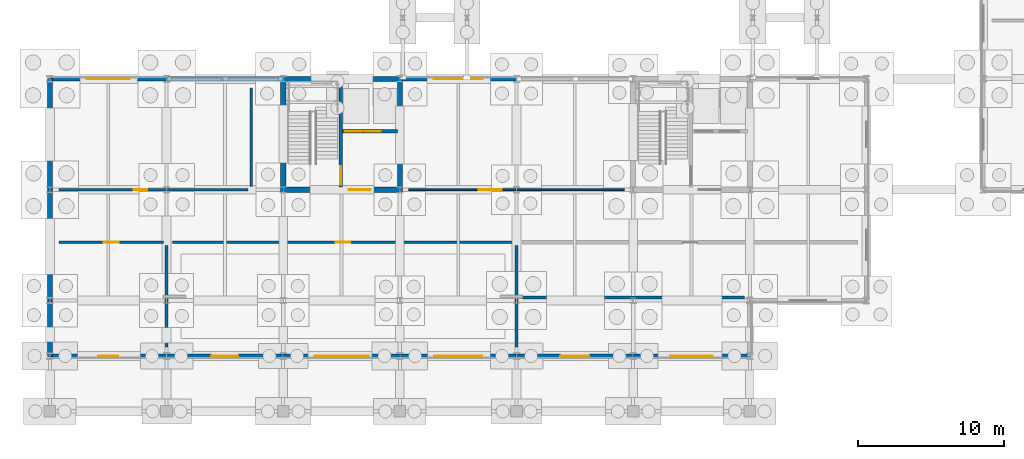
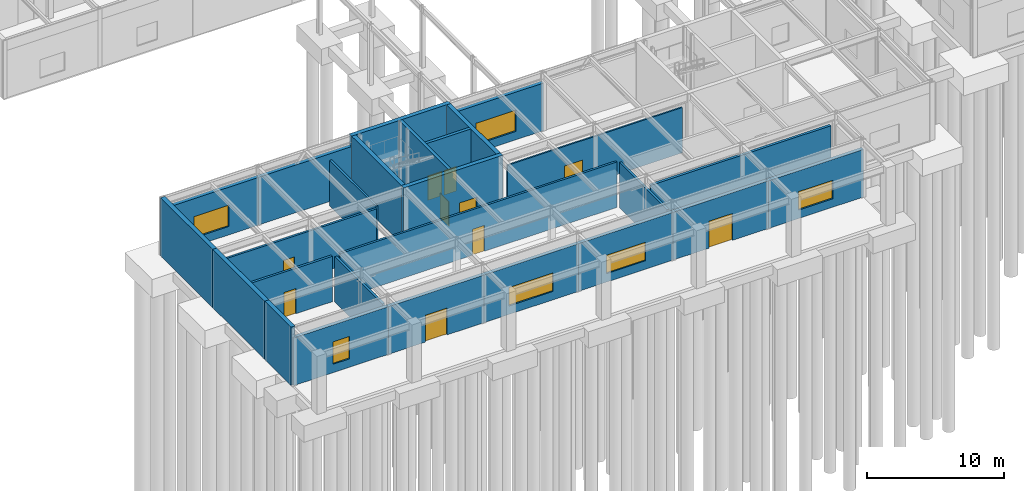
# One storey, part 40 of 62: 26 walls, 10 doors, 6 windows, 16 openings.
"""IFC4 building model written with IfcOpenShell, lengths in metres."""

from ifc_helpers import new_model, si_unit, direction, frame, frame_2d, origin, place, context, subcontext, project, spatial, rectangle, extrude, material, layer, layer_set, type_object, element, fill, save


model = new_model("IFC4")

# Units and contexts
model_context = context("Model", 3, precision=1e-05, world=origin(), true_north=direction((0.0, 1.0)))
body_context = subcontext(model_context, "Body", "Model", "MODEL_VIEW")
ifc_project = project(units=[si_unit("LENGTHUNIT", "METRE"), si_unit("AREAUNIT", "SQUARE_METRE"), si_unit("VOLUMEUNIT", "CUBIC_METRE"), si_unit("PLANEANGLEUNIT", "RADIAN"), si_unit("MASSUNIT", "GRAM", prefix="KILO")], contexts=[model_context])

# Site, building, storey
site_placement = place(None, origin())
site = spatial("IfcSite", under=ifc_project, at=site_placement, CompositionType="ELEMENT")
building_placement = place(site_placement, origin())
building = spatial("IfcBuilding", under=site, at=building_placement, Name="Zulena Civic Courthouse", CompositionType="ELEMENT")
storey_placement = place(building_placement, origin())
storey = spatial("IfcBuildingStorey", under=building, at=storey_placement, Name="L00", CompositionType="ELEMENT", Elevation=0.0)

# Wall, opening, door
ifc_material_1 = material(Name="Concrete C40/50", Category="concrete")
ifc_layer_1 = layer(ifc_material_1, 0.25)
ifc_layer_set_1 = layer_set([ifc_layer_1], Name="Concrete C40/50")
wall_type_1 = type_object("IfcWallType", Name="CoreShearWall_RC250", PredefinedType="SHEAR", material=ifc_layer_set_1)
wall_1_placement = place(storey_placement, frame((23.949951171875, 15.375, 0.0), z_axis=(0.0, 0.0, 1.0), x_axis=(0.0, 1.0, 0.0)))
wall_1 = element("IfcWall", 1, at=wall_1_placement, inside=storey, type_object=wall_type_1, Name="cwall:K2A:L00:DIV", PredefinedType="SHEAR", context=body_context, shape_type="SweptSolid", body=[
    extrude(rectangle(XDim=7.25, YDim=0.25, at=frame_2d((3.625, 0.0))), origin(), (0.0, 0.0, 1.0), 5.18994140625),
])
opening_1_placement = place(wall_1_placement, frame((0.179931640625, 0.0, 0.0)))
opening_1 = element("IfcOpeningElement", 2, at=opening_1_placement, cuts=wall_1, Name="Opening ID06", PredefinedType="OPENING", context=body_context, shape_type="SweptSolid", body=[
    extrude(rectangle(XDim=1.25, YDim=2.199951171875, at=frame_2d((0.625, 1.10009765625))), frame((0.0, 0.135009765625, 0.0), z_axis=(0.0, -1.0, 0.0), x_axis=(1.0, 0.0, 0.0)), (0.0, 0.0, 1.0), 0.27001953125),
])
ifc_material_2 = material(Name="Fire-rated galvanised steel ASTM A653 Grade 50", Category="steel")
door_type_1 = type_object("IfcDoorType", Name="IntDoor_Stair_1250x2200", OperationType="NOTDEFINED", PredefinedType="DOOR", material=ifc_material_2)
door_1_placement = place(opening_1_placement, origin())
door_1 = element("IfcDoor", 3, at=door_1_placement, inside=storey, type_object=door_type_1, Name="door:stair:K2A:L00", OperationType="SINGLE_SWING_LEFT", OverallHeight=2.199951171875, OverallWidth=1.25, PredefinedType="DOOR", context=body_context, shape_type="SweptSolid", body=[
    extrude(rectangle(XDim=1.25, YDim=2.199951171875, at=frame_2d((0.625, 1.10009765625))), frame((0.0, 0.02490234375, 0.0), z_axis=(0.0, -1.0, 0.0), x_axis=(1.0, 0.0, 0.0)), (0.0, 0.0, 1.0), 0.050048828125),
])
fill(opening_1, door_1)

# Wall, openings, doors
wall_2_placement = place(storey_placement, frame((24.074951171875, 19.199951171875, 0.0), z_axis=(0.0, 0.0, 1.0), x_axis=(1.0, 0.0, 0.0)))
wall_2 = element("IfcWall", 4, at=wall_2_placement, inside=storey, type_object=wall_type_1, Name="cwall:K2A:L00:SHF", PredefinedType="SHEAR", context=body_context, shape_type="SweptSolid", body=[
    extrude(rectangle(XDim=3.75, YDim=0.25, at=frame_2d((1.875, 0.0))), origin(), (0.0, 0.0, 1.0), 5.18994140625),
])
opening_2_placement = place(wall_2_placement, frame((0.179931640625, 0.0, 0.0)))
opening_2 = element("IfcOpeningElement", 5, at=opening_2_placement, cuts=wall_2, Name="Opening LD01", PredefinedType="OPENING", context=body_context, shape_type="SweptSolid", body=[
    extrude(rectangle(XDim=1.199951171875, YDim=2.199951171875, at=frame_2d((0.60009765625, 1.10009765625))), frame((0.0, 0.135009765625, 0.0), z_axis=(0.0, -1.0, 0.0), x_axis=(1.0, 0.0, 0.0)), (0.0, 0.0, 1.0), 0.27001953125),
])
opening_3_placement = place(wall_2_placement, frame((1.550048828125, 0.0, 0.0)))
opening_3 = element("IfcOpeningElement", 6, at=opening_3_placement, cuts=wall_2, Name="Opening LD03", PredefinedType="OPENING", context=body_context, shape_type="SweptSolid", body=[
    extrude(rectangle(XDim=1.050048828125, YDim=2.199951171875, at=frame_2d((0.52490234375, 1.10009765625))), frame((0.0, 0.135009765625, 0.0), z_axis=(0.0, -1.0, 0.0), x_axis=(1.0, 0.0, 0.0)), (0.0, 0.0, 1.0), 0.27001953125),
])
door_type_2 = type_object("IfcDoorType", Name="LiftLandingDoor_FF_1200x2200", OperationType="SLIDING_TO_LEFT", PredefinedType="DOOR", material=ifc_material_2)
door_2_placement = place(opening_2_placement, origin())
door_2 = element("IfcDoor", 7, at=door_2_placement, inside=storey, type_object=door_type_2, Name="door:ld:FL-01:L00", OperationType="SLIDING_TO_LEFT", OverallHeight=2.199951171875, OverallWidth=1.199951171875, PredefinedType="DOOR", context=body_context, shape_type="SweptSolid", body=[
    extrude(rectangle(XDim=1.199951171875, YDim=2.199951171875, at=frame_2d((0.60009765625, 1.10009765625))), frame((0.0, 0.02490234375, 0.0), z_axis=(0.0, -1.0, 0.0), x_axis=(1.0, 0.0, 0.0)), (0.0, 0.0, 1.0), 0.050048828125),
])
fill(opening_2, door_2)
door_type_3 = type_object("IfcDoorType", Name="LiftLandingDoor_Jud_1050x2200", OperationType="SLIDING_TO_RIGHT", PredefinedType="DOOR", material=ifc_material_2)
door_3_placement = place(opening_3_placement, origin())
door_3 = element("IfcDoor", 8, at=door_3_placement, inside=storey, type_object=door_type_3, Name="door:ld:JL-01:L00", OperationType="SLIDING_TO_RIGHT", OverallHeight=2.199951171875, OverallWidth=1.050048828125, PredefinedType="DOOR", context=body_context, shape_type="SweptSolid", body=[
    extrude(rectangle(XDim=1.050048828125, YDim=2.199951171875, at=frame_2d((0.52490234375, 1.10009765625))), frame((0.0, 0.02490234375, 0.0), z_axis=(0.0, -1.0, 0.0), x_axis=(1.0, 0.0, 0.0)), (0.0, 0.0, 1.0), 0.050048828125),
])
fill(opening_3, door_3)

# Wall, opening, door
ifc_layer_2 = layer(ifc_material_1, 0.35009765625)
ifc_layer_set_2 = layer_set([ifc_layer_2], Name="Concrete C40/50")
wall_type_2 = type_object("IfcWallType", Name="CoreShearWall_RC350", PredefinedType="SHEAR", material=ifc_layer_set_2)
wall_3_placement = place(storey_placement, frame((19.824951171875, 15.199951171875, 0.0), z_axis=(0.0, 0.0, 1.0), x_axis=(1.0, 0.0, 0.0)))
wall_3 = element("IfcWall", 9, at=wall_3_placement, inside=storey, type_object=wall_type_2, Name="cwall:K2A:L00:S", PredefinedType="SHEAR", context=body_context, shape_type="SweptSolid", body=[
    extrude(rectangle(XDim=8.35009765625, YDim=0.35009765625, at=frame_2d((4.175048828125, 0.0))), origin(), (0.0, 0.0, 1.0), 5.18994140625),
])
opening_4_placement = place(wall_3_placement, frame((4.68505859375, 0.0, 0.0)))
opening_4 = element("IfcOpeningElement", 10, at=opening_4_placement, cuts=wall_3, Name="Opening ID05", PredefinedType="OPENING", context=body_context, shape_type="SweptSolid", body=[
    extrude(rectangle(XDim=1.5, YDim=2.199951171875, at=frame_2d((0.75, 1.10009765625))), frame((0.0, 0.18505859375, 0.0), z_axis=(0.0, -1.0, 0.0), x_axis=(1.0, 0.0, 0.0)), (0.0, 0.0, 1.0), 0.3701171875),
])
door_type_4 = type_object("IfcDoorType", Name="IntDoor_FFLobby_1500x2200", OperationType="DOUBLE_DOOR_SINGLE_SWING", PredefinedType="DOOR", material=ifc_material_2)
door_4_placement = place(opening_4_placement, origin())
door_4 = element("IfcDoor", 11, at=door_4_placement, inside=storey, type_object=door_type_4, Name="door:corelob:K2A:L00", OperationType="DOUBLE_DOOR_SINGLE_SWING", OverallHeight=2.199951171875, OverallWidth=1.5, PredefinedType="DOOR", context=body_context, shape_type="SweptSolid", body=[
    extrude(rectangle(XDim=1.5, YDim=2.199951171875, at=frame_2d((0.75, 1.10009765625))), frame((0.0, 0.02490234375, 0.0), z_axis=(0.0, -1.0, 0.0), x_axis=(1.0, 0.0, 0.0)), (0.0, 0.0, 1.0), 0.050048828125),
])
fill(opening_4, door_4)

# Walls
wall_4_placement = place(storey_placement, frame((19.824951171875, 22.800048828125, 0.0), z_axis=(0.0, 0.0, 1.0), x_axis=(1.0, 0.0, 0.0)))
element("IfcWall", 12, at=wall_4_placement, inside=storey, type_object=wall_type_2, Name="cwall:K2A:L00:N", PredefinedType="SHEAR", context=body_context, shape_type="SweptSolid", body=[
    extrude(rectangle(XDim=8.35009765625, YDim=0.35009765625, at=frame_2d((4.175048828125, 0.0))), origin(), (0.0, 0.0, 1.0), 5.18994140625),
])
for number, where, z_axis, x_axis, name in (
    (13, (20.0, 15.375, 0.0), (0.0, 0.0, 1.0), (0.0, 1.0, 0.0), "cwall:K2A:L00:W"),
    (14, (28.0, 15.375, 0.0), (0.0, 0.0, 1.0), (0.0, 1.0, 0.0), "cwall:K2A:L00:E"),
):
    element("IfcWall", number, at=place(storey_placement, frame(where, z_axis=z_axis, x_axis=x_axis)), inside=storey, type_object=wall_type_2, Name=name, PredefinedType="SHEAR", context=body_context, shape_type="SweptSolid", body=[
        extrude(rectangle(XDim=7.25, YDim=0.35009765625, at=frame_2d((3.625, 0.0))), origin(), (0.0, 0.0, 1.0), 5.18994140625),
    ])
ifc_layer_3 = layer(ifc_material_1, 0.360107421875)
ifc_layer_set_3 = layer_set([ifc_layer_3], Name="Concrete C40/50")
wall_type_3 = type_object("IfcWallType", Name="ExtWall_PartyWall_360", PredefinedType="STANDARD", material=ifc_layer_set_3)
wall_5_placement = place(storey_placement, frame((4.0, 3.780029296875, 0.0), z_axis=(0.0, 0.0, 1.0), x_axis=(0.0, 1.0, 0.0)))
element("IfcWall", 15, at=wall_5_placement, inside=storey, type_object=wall_type_3, Name="ewall:V2:L00:0:0", PredefinedType="STANDARD", context=body_context, shape_type="SweptSolid", body=[
    extrude(rectangle(XDim=3.840087890625, YDim=0.360107421875, at=frame_2d((1.919921875, 0.0))), origin(), (0.0, 0.0, 1.0), 5.18994140625),
])
wall_6_placement = place(storey_placement, frame((4.0, 7.580078125, 0.0), z_axis=(0.0, 0.0, 1.0), x_axis=(0.0, 1.0, 0.0)))
element("IfcWall", 16, at=wall_6_placement, inside=storey, type_object=wall_type_3, Name="ewall:V2:L00:0:1", PredefinedType="STANDARD", context=body_context, shape_type="SweptSolid", body=[
    extrude(rectangle(XDim=7.639892578125, YDim=0.360107421875, at=frame_2d((3.81982421875, 0.0))), origin(), (0.0, 0.0, 1.0), 5.18994140625),
])
wall_7_placement = place(storey_placement, frame((4.0, 15.179931640625, 0.0), z_axis=(0.0, 0.0, 1.0), x_axis=(0.0, 1.0, 0.0)))
element("IfcWall", 17, at=wall_7_placement, inside=storey, type_object=wall_type_3, Name="ewall:V2:L00:0:2", PredefinedType="STANDARD", context=body_context, shape_type="SweptSolid", body=[
    extrude(rectangle(XDim=7.64013671875, YDim=0.360107421875, at=frame_2d((3.820068359375, 0.0))), origin(), (0.0, 0.0, 1.0), 5.18994140625),
])

# Wall, opening, window
ifc_material_3 = material(Name="White architectural precast concrete C40/50", Category="concrete")
ifc_layer_4 = layer(ifc_material_3, 0.300048828125)
ifc_layer_set_4 = layer_set([ifc_layer_4], Name="White architectural precast concrete C40/50")
wall_type_4 = type_object("IfcWallType", Name="ExtWall_WhitePrecast_300", PredefinedType="STANDARD", material=ifc_layer_set_4)
wall_8_placement = place(storey_placement, frame((3.97998046875, 22.800048828125, 0.0), z_axis=(0.0, 0.0, 1.0), x_axis=(1.0, 0.0, 0.0)))
wall_8 = element("IfcWall", 18, at=wall_8_placement, inside=storey, type_object=wall_type_4, Name="ewall:V2:L00:1:0", PredefinedType="STANDARD", context=body_context, shape_type="SweptSolid", body=[
    extrude(rectangle(XDim=8.0400390625, YDim=0.300048828125, at=frame_2d((4.02001953125, 0.0))), origin(), (0.0, 0.0, 1.0), 4.25),
])
opening_5_placement = place(wall_8_placement, frame((2.544921875, 0.0, 0.75)))
opening_5 = element("IfcOpeningElement", 19, at=opening_5_placement, cuts=wall_8, Name="Opening WN40", PredefinedType="OPENING", context=body_context, shape_type="SweptSolid", body=[
    extrude(rectangle(XDim=2.949951171875, YDim=1.89990234375, at=frame_2d((1.47509765625, 0.949951171875))), frame((0.0, 0.159912109375, 0.0), z_axis=(0.0, -1.0, 0.0), x_axis=(1.0, 0.0, 0.0)), (0.0, 0.0, 1.0), 0.320068359375),
])
ifc_material_4 = material(Name="Double-silver low-E laminated solar-control glass", Category="glass")
window_type_1 = type_object("IfcWindowType", Name="Win_2950x1900", PartitioningType="DOUBLE_PANEL_VERTICAL", PredefinedType="WINDOW", material=ifc_material_4)
window_1_placement = place(opening_5_placement, origin())
window_1 = element("IfcWindow", 20, at=window_1_placement, inside=storey, type_object=window_type_1, Name="win:V2:L00:1:0", OverallHeight=1.89990234375, OverallWidth=2.949951171875, PartitioningType="SINGLE_PANEL", PredefinedType="WINDOW", context=body_context, shape_type="SweptSolid", body=[
    extrude(rectangle(XDim=2.949951171875, YDim=1.89990234375, at=frame_2d((1.47509765625, 0.949951171875))), frame((0.0, 0.030029296875, 0.0), z_axis=(0.0, -1.0, 0.0), x_axis=(1.0, 0.0, 0.0)), (0.0, 0.0, 1.0), 0.06005859375),
])
fill(opening_5, window_1)

# Wall
wall_9_placement = place(storey_placement, frame((11.97998046875, 22.800048828125, 0.0), z_axis=(0.0, 0.0, 1.0), x_axis=(1.0, 0.0, 0.0)))
element("IfcWall", 21, at=wall_9_placement, inside=storey, type_object=wall_type_4, Name="ewall:V2:L00:1:1", PredefinedType="STANDARD", context=body_context, shape_type="SweptSolid", body=[
    extrude(rectangle(XDim=8.0400390625, YDim=0.300048828125, at=frame_2d((4.02001953125, 0.0))), origin(), (0.0, 0.0, 1.0), 4.25),
])

# Wall, opening, window
wall_10_placement = place(storey_placement, frame((27.97998046875, 22.800048828125, 0.0), z_axis=(0.0, 0.0, 1.0), x_axis=(1.0, 0.0, 0.0)))
wall_10 = element("IfcWall", 22, at=wall_10_placement, inside=storey, type_object=wall_type_4, Name="ewall:V2:L00:1:3", PredefinedType="STANDARD", context=body_context, shape_type="SweptSolid", body=[
    extrude(rectangle(XDim=8.0400390625, YDim=0.300048828125, at=frame_2d((4.02001953125, 0.0))), origin(), (0.0, 0.0, 1.0), 4.25),
])
opening_6_placement = place(wall_10_placement, frame((2.344970703125, 0.0, 0.75)))
opening_6 = element("IfcOpeningElement", 23, at=opening_6_placement, cuts=wall_10, Name="Opening WN41", PredefinedType="OPENING", context=body_context, shape_type="SweptSolid", body=[
    extrude(rectangle(XDim=3.35009765625, YDim=1.89990234375, at=frame_2d((1.675048828125, 0.949951171875))), frame((0.0, 0.159912109375, 0.0), z_axis=(0.0, -1.0, 0.0), x_axis=(1.0, 0.0, 0.0)), (0.0, 0.0, 1.0), 0.320068359375),
])
window_type_2 = type_object("IfcWindowType", Name="Win_3350x1900", PartitioningType="DOUBLE_PANEL_VERTICAL", PredefinedType="WINDOW", material=ifc_material_4)
window_2_placement = place(opening_6_placement, origin())
window_2 = element("IfcWindow", 24, at=window_2_placement, inside=storey, type_object=window_type_2, Name="win:V2:L00:1:3", OverallHeight=1.89990234375, OverallWidth=3.35009765625, PartitioningType="SINGLE_PANEL", PredefinedType="WINDOW", context=body_context, shape_type="SweptSolid", body=[
    extrude(rectangle(XDim=3.35009765625, YDim=1.89990234375, at=frame_2d((1.675048828125, 0.949951171875))), frame((0.0, 0.030029296875, 0.0), z_axis=(0.0, -1.0, 0.0), x_axis=(1.0, 0.0, 0.0)), (0.0, 0.0, 1.0), 0.06005859375),
])
fill(opening_6, window_2)

wall_11_placement = place(storey_placement, frame((52.02001953125, 3.800048828125, 0.0), z_axis=(0.0, 0.0, 1.0), x_axis=(-1.0, 0.0, 0.0)))
wall_11 = element("IfcWall", 25, at=wall_11_placement, inside=storey, type_object=wall_type_4, Name="ewall:V2:L00:5:0", PredefinedType="STANDARD", context=body_context, shape_type="SweptSolid", body=[
    extrude(rectangle(XDim=8.0400390625, YDim=0.300048828125, at=frame_2d((4.02001953125, 0.0))), origin(), (0.0, 0.0, 1.0), 4.25),
])
opening_7_placement = place(wall_11_placement, frame((2.570068359375, 0.0, 0.75)))
opening_7 = element("IfcOpeningElement", 26, at=opening_7_placement, cuts=wall_11, Name="Opening WN46", PredefinedType="OPENING", context=body_context, shape_type="SweptSolid", body=[
    extrude(rectangle(XDim=2.89990234375, YDim=1.64990234375, at=frame_2d((1.449951171875, 0.824951171875))), frame((0.0, 0.159912109375, 0.0), z_axis=(0.0, -1.0, 0.0), x_axis=(1.0, 0.0, 0.0)), (0.0, 0.0, 1.0), 0.320068359375),
])
window_type_3 = type_object("IfcWindowType", Name="Win_2900x1650", PartitioningType="DOUBLE_PANEL_VERTICAL", PredefinedType="WINDOW", material=ifc_material_4)
window_3_placement = place(opening_7_placement, origin())
window_3 = element("IfcWindow", 27, at=window_3_placement, inside=storey, type_object=window_type_3, Name="win:V2:L00:5:0", OverallHeight=1.64990234375, OverallWidth=2.89990234375, PartitioningType="SINGLE_PANEL", PredefinedType="WINDOW", context=body_context, shape_type="SweptSolid", body=[
    extrude(rectangle(XDim=2.89990234375, YDim=1.64990234375, at=frame_2d((1.449951171875, 0.824951171875))), frame((0.0, 0.030029296875, 0.0), z_axis=(0.0, -1.0, 0.0), x_axis=(1.0, 0.0, 0.0)), (0.0, 0.0, 1.0), 0.06005859375),
])
fill(opening_7, window_3)

# Wall, opening, door
wall_12_placement = place(storey_placement, frame((44.02001953125, 3.800048828125, 0.0), z_axis=(0.0, 0.0, 1.0), x_axis=(-1.0, 0.0, 0.0)))
wall_12 = element("IfcWall", 28, at=wall_12_placement, inside=storey, type_object=wall_type_4, Name="ewall:V2:L00:5:1", PredefinedType="STANDARD", context=body_context, shape_type="SweptSolid", body=[
    extrude(rectangle(XDim=8.0400390625, YDim=0.300048828125, at=frame_2d((4.02001953125, 0.0))), origin(), (0.0, 0.0, 1.0), 4.25),
])
opening_8_placement = place(wall_12_placement, frame((3.02001953125, 0.0, 0.0)))
opening_8 = element("IfcOpeningElement", 29, at=opening_8_placement, cuts=wall_12, Name="Opening ED03", PredefinedType="OPENING", context=body_context, shape_type="SweptSolid", body=[
    extrude(rectangle(XDim=2.0, YDim=2.39990234375, at=frame_2d((1.0, 1.199951171875))), frame((0.0, 0.159912109375, 0.0), z_axis=(0.0, -1.0, 0.0), x_axis=(1.0, 0.0, 0.0)), (0.0, 0.0, 1.0), 0.320068359375),
])
ifc_material_5 = material(Name="Galvanised architectural steel ASTM A653 Grade 50", Category="steel")
door_type_5 = type_object("IfcDoorType", Name="ExtDoor_ExitDouble_2000x2400", OperationType="DOUBLE_DOOR_SINGLE_SWING", PredefinedType="DOOR", material=ifc_material_5)
door_5_placement = place(opening_8_placement, origin())
door_5 = element("IfcDoor", 30, at=door_5_placement, inside=storey, type_object=door_type_5, Name="door:ext:V2:L00:5:1", OperationType="DOUBLE_DOOR_SINGLE_SWING", OverallHeight=2.39990234375, OverallWidth=2.0, PredefinedType="DOOR", context=body_context, shape_type="SweptSolid", body=[
    extrude(rectangle(XDim=2.0, YDim=2.39990234375, at=frame_2d((1.0, 1.199951171875))), frame((0.0, 0.02490234375, 0.0), z_axis=(0.0, -1.0, 0.0), x_axis=(1.0, 0.0, 0.0)), (0.0, 0.0, 1.0), 0.050048828125),
])
fill(opening_8, door_5)

# Wall, opening, window
wall_13_placement = place(storey_placement, frame((36.02001953125, 3.800048828125, 0.0), z_axis=(0.0, 0.0, 1.0), x_axis=(-1.0, 0.0, 0.0)))
wall_13 = element("IfcWall", 31, at=wall_13_placement, inside=storey, type_object=wall_type_4, Name="ewall:V2:L00:5:2", PredefinedType="STANDARD", context=body_context, shape_type="SweptSolid", body=[
    extrude(rectangle(XDim=8.0400390625, YDim=0.300048828125, at=frame_2d((4.02001953125, 0.0))), origin(), (0.0, 0.0, 1.0), 4.25),
])
opening_9_placement = place(wall_13_placement, frame((2.3701171875, 0.0, 0.75)))
opening_9 = element("IfcOpeningElement", 32, at=opening_9_placement, cuts=wall_13, Name="Opening WN47", PredefinedType="OPENING", context=body_context, shape_type="SweptSolid", body=[
    extrude(rectangle(XDim=3.300048828125, YDim=1.64990234375, at=frame_2d((1.64990234375, 0.824951171875))), frame((0.0, 0.159912109375, 0.0), z_axis=(0.0, -1.0, 0.0), x_axis=(1.0, 0.0, 0.0)), (0.0, 0.0, 1.0), 0.320068359375),
])
window_type_4 = type_object("IfcWindowType", Name="Win_3300x1650", PartitioningType="DOUBLE_PANEL_VERTICAL", PredefinedType="WINDOW", material=ifc_material_4)
window_4_placement = place(opening_9_placement, origin())
window_4 = element("IfcWindow", 33, at=window_4_placement, inside=storey, type_object=window_type_4, Name="win:V2:L00:5:2", OverallHeight=1.64990234375, OverallWidth=3.300048828125, PartitioningType="SINGLE_PANEL", PredefinedType="WINDOW", context=body_context, shape_type="SweptSolid", body=[
    extrude(rectangle(XDim=3.300048828125, YDim=1.64990234375, at=frame_2d((1.64990234375, 0.824951171875))), frame((0.0, 0.030029296875, 0.0), z_axis=(0.0, -1.0, 0.0), x_axis=(1.0, 0.0, 0.0)), (0.0, 0.0, 1.0), 0.06005859375),
])
fill(opening_9, window_4)

wall_14_placement = place(storey_placement, frame((28.02001953125, 3.800048828125, 0.0), z_axis=(0.0, 0.0, 1.0), x_axis=(-1.0, 0.0, 0.0)))
wall_14 = element("IfcWall", 34, at=wall_14_placement, inside=storey, type_object=wall_type_4, Name="ewall:V2:L00:5:3", PredefinedType="STANDARD", context=body_context, shape_type="SweptSolid", body=[
    extrude(rectangle(XDim=8.0400390625, YDim=0.300048828125, at=frame_2d((4.02001953125, 0.0))), origin(), (0.0, 0.0, 1.0), 4.25),
])
opening_10_placement = place(wall_14_placement, frame((2.169921875, 0.0, 0.75)))
opening_10 = element("IfcOpeningElement", 35, at=opening_10_placement, cuts=wall_14, Name="Opening WN48", PredefinedType="OPENING", context=body_context, shape_type="SweptSolid", body=[
    extrude(rectangle(XDim=3.699951171875, YDim=1.64990234375, at=frame_2d((1.85009765625, 0.824951171875))), frame((0.0, 0.159912109375, 0.0), z_axis=(0.0, -1.0, 0.0), x_axis=(1.0, 0.0, 0.0)), (0.0, 0.0, 1.0), 0.320068359375),
])
window_type_5 = type_object("IfcWindowType", Name="Win_3700x1650", PartitioningType="DOUBLE_PANEL_VERTICAL", PredefinedType="WINDOW", material=ifc_material_4)
window_5_placement = place(opening_10_placement, origin())
window_5 = element("IfcWindow", 36, at=window_5_placement, inside=storey, type_object=window_type_5, Name="win:V2:L00:5:3", OverallHeight=1.64990234375, OverallWidth=3.699951171875, PartitioningType="SINGLE_PANEL", PredefinedType="WINDOW", context=body_context, shape_type="SweptSolid", body=[
    extrude(rectangle(XDim=3.699951171875, YDim=1.64990234375, at=frame_2d((1.85009765625, 0.824951171875))), frame((0.0, 0.030029296875, 0.0), z_axis=(0.0, -1.0, 0.0), x_axis=(1.0, 0.0, 0.0)), (0.0, 0.0, 1.0), 0.06005859375),
])
fill(opening_10, window_5)

# Wall, opening, door
wall_15_placement = place(storey_placement, frame((20.02001953125, 3.800048828125, 0.0), z_axis=(0.0, 0.0, 1.0), x_axis=(-1.0, 0.0, 0.0)))
wall_15 = element("IfcWall", 37, at=wall_15_placement, inside=storey, type_object=wall_type_4, Name="ewall:V2:L00:5:4", PredefinedType="STANDARD", context=body_context, shape_type="SweptSolid", body=[
    extrude(rectangle(XDim=8.0400390625, YDim=0.300048828125, at=frame_2d((4.02001953125, 0.0))), origin(), (0.0, 0.0, 1.0), 4.25),
])
opening_11_placement = place(wall_15_placement, frame((3.094970703125, 0.0, 0.0)))
opening_11 = element("IfcOpeningElement", 38, at=opening_11_placement, cuts=wall_15, Name="Opening ED04", PredefinedType="OPENING", context=body_context, shape_type="SweptSolid", body=[
    extrude(rectangle(XDim=1.85009765625, YDim=2.39990234375, at=frame_2d((0.925048828125, 1.199951171875))), frame((0.0, 0.159912109375, 0.0), z_axis=(0.0, -1.0, 0.0), x_axis=(1.0, 0.0, 0.0)), (0.0, 0.0, 1.0), 0.320068359375),
])
door_type_6 = type_object("IfcDoorType", Name="ExtDoor_ExitDouble_1850x2400", OperationType="DOUBLE_DOOR_SINGLE_SWING", PredefinedType="DOOR", material=ifc_material_5)
door_6_placement = place(opening_11_placement, origin())
door_6 = element("IfcDoor", 39, at=door_6_placement, inside=storey, type_object=door_type_6, Name="door:ext:V2:L00:5:4", OperationType="DOUBLE_DOOR_SINGLE_SWING", OverallHeight=2.39990234375, OverallWidth=1.85009765625, PredefinedType="DOOR", context=body_context, shape_type="SweptSolid", body=[
    extrude(rectangle(XDim=1.85009765625, YDim=2.39990234375, at=frame_2d((0.925048828125, 1.199951171875))), frame((0.0, 0.02490234375, 0.0), z_axis=(0.0, -1.0, 0.0), x_axis=(1.0, 0.0, 0.0)), (0.0, 0.0, 1.0), 0.050048828125),
])
fill(opening_11, door_6)

# Wall, opening, window
wall_16_placement = place(storey_placement, frame((12.02001953125, 3.800048828125, 0.0), z_axis=(0.0, 0.0, 1.0), x_axis=(-1.0, 0.0, 0.0)))
wall_16 = element("IfcWall", 40, at=wall_16_placement, inside=storey, type_object=wall_type_4, Name="ewall:V2:L00:5:5", PredefinedType="STANDARD", context=body_context, shape_type="SweptSolid", body=[
    extrude(rectangle(XDim=8.0400390625, YDim=0.300048828125, at=frame_2d((4.02001953125, 0.0))), origin(), (0.0, 0.0, 1.0), 4.25),
])
opening_12_placement = place(wall_16_placement, frame((3.320068359375, 0.0, 0.75)))
opening_12 = element("IfcOpeningElement", 41, at=opening_12_placement, cuts=wall_16, Name="Opening WN01", PredefinedType="OPENING", context=body_context, shape_type="SweptSolid", body=[
    extrude(rectangle(XDim=1.39990234375, YDim=2.0, at=frame_2d((0.699951171875, 1.0))), frame((0.0, 0.159912109375, 0.0), z_axis=(0.0, -1.0, 0.0), x_axis=(1.0, 0.0, 0.0)), (0.0, 0.0, 1.0), 0.320068359375),
])
window_type_6 = type_object("IfcWindowType", Name="Win_1400x2000", PartitioningType="SINGLE_PANEL", PredefinedType="WINDOW", material=ifc_material_4)
window_6_placement = place(opening_12_placement, origin())
window_6 = element("IfcWindow", 42, at=window_6_placement, inside=storey, type_object=window_type_6, Name="win:V2:L00:5:5", OverallHeight=2.0, OverallWidth=1.39990234375, PartitioningType="SINGLE_PANEL", PredefinedType="WINDOW", context=body_context, shape_type="SweptSolid", body=[
    extrude(rectangle(XDim=1.39990234375, YDim=2.0, at=frame_2d((0.699951171875, 1.0))), frame((0.0, 0.030029296875, 0.0), z_axis=(0.0, -1.0, 0.0), x_axis=(1.0, 0.0, 0.0)), (0.0, 0.0, 1.0), 0.06005859375),
])
fill(opening_12, window_6)

# Wall, opening, door
ifc_material_6 = material(Name="Acoustic fire-rated gypsum board assembly", Category="masonry")
ifc_layer_5 = layer(ifc_material_6, 0.177978515625)
ifc_layer_set_5 = layer_set([ifc_layer_5], Name="Acoustic fire-rated gypsum board assembly")
wall_type_5 = type_object("IfcWallType", Name="PartWall_Corridor_178", PredefinedType="PARTITIONING", material=ifc_layer_set_5)
wall_17_placement = place(storey_placement, frame((12.419921875, 11.60009765625, 0.0), z_axis=(0.0, 0.0, 1.0), x_axis=(1.0, 0.0, 0.0)))
wall_17 = element("IfcWall", 43, at=wall_17_placement, inside=storey, type_object=wall_type_5, Name="pwall:L00:290:0", PredefinedType="PARTITIONING", context=body_context, shape_type="SweptSolid", body=[
    extrude(rectangle(XDim=23.360107421875, YDim=0.177978515625, at=frame_2d((11.68017578125, 0.0))), origin(), (0.0, 0.0, 1.0), 4.050048828125),
])
opening_13_placement = place(wall_17_placement, frame((11.179931640625, 0.0, 0.0)))
opening_13 = element("IfcOpeningElement", 44, at=opening_13_placement, cuts=wall_17, Name="Opening ID13", PredefinedType="OPENING", context=body_context, shape_type="SweptSolid", body=[
    extrude(rectangle(XDim=1.0, YDim=2.300048828125, at=frame_2d((0.5, 1.14990234375))), frame((0.0, 0.098876953125, 0.0), z_axis=(0.0, -1.0, 0.0), x_axis=(1.0, 0.0, 0.0)), (0.0, 0.0, 1.0), 0.197998046875),
])
ifc_material_7 = material(Name="Solid-core acoustic hardwood timber", Category="wood")
door_type_7 = type_object("IfcDoorType", Name="IntDoor_Chambers_1000x2300", OperationType="NOTDEFINED", PredefinedType="DOOR", material=ifc_material_7)
door_7_placement = place(opening_13_placement, origin())
door_7 = element("IfcDoor", 45, at=door_7_placement, inside=storey, type_object=door_type_7, Name="door:rm:L00:290", OperationType="SINGLE_SWING_LEFT", OverallHeight=2.300048828125, OverallWidth=1.0, PredefinedType="DOOR", context=body_context, shape_type="SweptSolid", body=[
    extrude(rectangle(XDim=1.0, YDim=2.300048828125, at=frame_2d((0.5, 1.14990234375))), frame((0.0, 0.02490234375, 0.0), z_axis=(0.0, -1.0, 0.0), x_axis=(1.0, 0.0, 0.0)), (0.0, 0.0, 1.0), 0.050048828125),
])
fill(opening_13, door_7)

# Wall
wall_18_placement = place(storey_placement, frame((36.0, 4.419921875, 0.0), z_axis=(0.0, 0.0, 1.0), x_axis=(0.0, 1.0, 0.0)))
element("IfcWall", 46, at=wall_18_placement, inside=storey, type_object=wall_type_5, Name="pwall:L00:290:1", PredefinedType="PARTITIONING", context=body_context, shape_type="SweptSolid", body=[
    extrude(rectangle(XDim=6.9599609375, YDim=0.177978515625, at=frame_2d((3.47998046875, 0.0))), origin(), (0.0, 0.0, 1.0), 4.050048828125),
])

# Wall, opening, door
wall_19_placement = place(storey_placement, frame((4.6201171875, 15.199951171875, 0.0), z_axis=(0.0, 0.0, 1.0), x_axis=(1.0, 0.0, 0.0)))
wall_19 = element("IfcWall", 47, at=wall_19_placement, inside=storey, type_object=wall_type_5, Name="pwall:L00:292:0", PredefinedType="PARTITIONING", context=body_context, shape_type="SweptSolid", body=[
    extrude(rectangle(XDim=12.9599609375, YDim=0.177978515625, at=frame_2d((6.47998046875, 0.0))), origin(), (0.0, 0.0, 1.0), 4.050048828125),
])
opening_14_placement = place(wall_19_placement, frame((5.1201171875, 0.0, 0.0)))
opening_14 = element("IfcOpeningElement", 48, at=opening_14_placement, cuts=wall_19, Name="Opening ID15", PredefinedType="OPENING", context=body_context, shape_type="SweptSolid", body=[
    extrude(rectangle(XDim=0.919921875, YDim=2.199951171875, at=frame_2d((0.4599609375, 1.10009765625))), frame((0.0, 0.098876953125, 0.0), z_axis=(0.0, -1.0, 0.0), x_axis=(1.0, 0.0, 0.0)), (0.0, 0.0, 1.0), 0.197998046875),
])
door_type_8 = type_object("IfcDoorType", Name="IntDoor_Chambers_920x2200", OperationType="NOTDEFINED", PredefinedType="DOOR", material=ifc_material_7)
door_8_placement = place(opening_14_placement, origin())
door_8 = element("IfcDoor", 49, at=door_8_placement, inside=storey, type_object=door_type_8, Name="door:rm:L00:292", OperationType="SINGLE_SWING_LEFT", OverallHeight=2.199951171875, OverallWidth=0.919921875, PredefinedType="DOOR", context=body_context, shape_type="SweptSolid", body=[
    extrude(rectangle(XDim=0.919921875, YDim=2.199951171875, at=frame_2d((0.4599609375, 1.10009765625))), frame((0.0, 0.02490234375, 0.0), z_axis=(0.0, -1.0, 0.0), x_axis=(1.0, 0.0, 0.0)), (0.0, 0.0, 1.0), 0.050048828125),
])
fill(opening_14, door_8)

# Walls
wall_20_placement = place(storey_placement, frame((17.800048828125, 15.419921875, 0.0), z_axis=(0.0, 0.0, 1.0), x_axis=(0.0, 1.0, 0.0)))
element("IfcWall", 50, at=wall_20_placement, inside=storey, type_object=wall_type_5, Name="pwall:L00:292:1", PredefinedType="PARTITIONING", context=body_context, shape_type="SweptSolid", body=[
    extrude(rectangle(XDim=6.760009765625, YDim=0.177978515625, at=frame_2d((3.3798828125, 0.0))), origin(), (0.0, 0.0, 1.0), 4.050048828125),
])
ifc_layer_6 = layer(ifc_material_6, 0.215087890625)
ifc_layer_set_6 = layer_set([ifc_layer_6], Name="Acoustic fire-rated gypsum board assembly")
wall_type_6 = type_object("IfcWallType", Name="PartWall_CourtAcoustic_215", PredefinedType="PARTITIONING", material=ifc_layer_set_6)
wall_21_placement = place(storey_placement, frame((36.419921875, 7.800048828125, 0.0), z_axis=(0.0, 0.0, 1.0), x_axis=(1.0, 0.0, 0.0)))
element("IfcWall", 51, at=wall_21_placement, inside=storey, type_object=wall_type_6, Name="pwall:L00:291:1", PredefinedType="PARTITIONING", context=body_context, shape_type="SweptSolid", body=[
    extrude(rectangle(XDim=15.211181640625, YDim=0.215087890625, at=frame_2d((7.60546875, 0.0))), origin(), (0.0, 0.0, 1.0), 4.050048828125),
])

# Wall, opening, door
ifc_material_8 = material(Name="Insulated blockwork masonry ASTM C90", Category="masonry")
ifc_layer_7 = layer(ifc_material_8, 0.196044921875)
ifc_layer_set_7 = layer_set([ifc_layer_7], Name="Insulated blockwork masonry ASTM C90")
wall_type_7 = type_object("IfcWallType", Name="PartWall_Plant_196", PredefinedType="PARTITIONING", material=ifc_layer_set_7)
wall_22_placement = place(storey_placement, frame((4.6201171875, 11.60009765625, 0.0), z_axis=(0.0, 0.0, 1.0), x_axis=(1.0, 0.0, 0.0)))
wall_22 = element("IfcWall", 52, at=wall_22_placement, inside=storey, type_object=wall_type_7, Name="pwall:L00:289:0", PredefinedType="PARTITIONING", context=body_context, shape_type="SweptSolid", body=[
    extrude(rectangle(XDim=7.159912109375, YDim=0.196044921875, at=frame_2d((3.580078125, 0.0))), origin(), (0.0, 0.0, 1.0), 4.050048828125),
])
opening_15_placement = place(wall_22_placement, frame((3.070068359375, 0.0, 0.0)))
opening_15 = element("IfcOpeningElement", 53, at=opening_15_placement, cuts=wall_22, Name="Opening ID12", PredefinedType="OPENING", context=body_context, shape_type="SweptSolid", body=[
    extrude(rectangle(XDim=1.02001953125, YDim=2.25, at=frame_2d((0.510009765625, 1.125))), frame((0.0, 0.10791015625, 0.0), z_axis=(0.0, -1.0, 0.0), x_axis=(1.0, 0.0, 0.0)), (0.0, 0.0, 1.0), 0.216064453125),
])
door_type_9 = type_object("IfcDoorType", Name="IntDoor_Jury_1020x2250", OperationType="NOTDEFINED", PredefinedType="DOOR", material=ifc_material_7)
door_9_placement = place(opening_15_placement, origin())
door_9 = element("IfcDoor", 54, at=door_9_placement, inside=storey, type_object=door_type_9, Name="door:rm:L00:289", OperationType="SINGLE_SWING_RIGHT", OverallHeight=2.25, OverallWidth=1.02001953125, PredefinedType="DOOR", context=body_context, shape_type="SweptSolid", body=[
    extrude(rectangle(XDim=1.02001953125, YDim=2.25, at=frame_2d((0.510009765625, 1.125))), frame((0.0, 0.02490234375, 0.0), z_axis=(0.0, -1.0, 0.0), x_axis=(1.0, 0.0, 0.0)), (0.0, 0.0, 1.0), 0.050048828125),
])
fill(opening_15, door_9)

# Wall
wall_23_placement = place(storey_placement, frame((12.0, 4.419921875, 0.0), z_axis=(0.0, 0.0, 1.0), x_axis=(0.0, 1.0, 0.0)))
element("IfcWall", 55, at=wall_23_placement, inside=storey, type_object=wall_type_7, Name="pwall:L00:289:1", PredefinedType="PARTITIONING", context=body_context, shape_type="SweptSolid", body=[
    extrude(rectangle(XDim=6.9599609375, YDim=0.196044921875, at=frame_2d((3.47998046875, 0.0))), origin(), (0.0, 0.0, 1.0), 4.050048828125),
])

# Wall, opening, door
ifc_layer_8 = layer(ifc_material_8, 0.1279296875)
ifc_layer_set_8 = layer_set([ifc_layer_8], Name="Insulated blockwork masonry ASTM C90")
wall_type_8 = type_object("IfcWallType", Name="PartWall_WetRoom_128", PredefinedType="PARTITIONING", material=ifc_layer_set_8)
wall_24_placement = place(storey_placement, frame((28.6201171875, 15.199951171875, 0.0), z_axis=(0.0, 0.0, 1.0), x_axis=(1.0, 0.0, 0.0)))
wall_24 = element("IfcWall", 56, at=wall_24_placement, inside=storey, type_object=wall_type_8, Name="pwall:L00:293:0", PredefinedType="PARTITIONING", context=body_context, shape_type="SweptSolid", body=[
    extrude(rectangle(XDim=14.759765625, YDim=0.1279296875, at=frame_2d((7.3798828125, 0.0))), origin(), (0.0, 0.0, 1.0), 4.050048828125),
])
opening_16_placement = place(wall_24_placement, frame((4.804931640625, 0.0, 0.0)))
opening_16 = element("IfcOpeningElement", 57, at=opening_16_placement, cuts=wall_24, Name="Opening ID16", PredefinedType="OPENING", context=body_context, shape_type="SweptSolid", body=[
    extrude(rectangle(XDim=1.550048828125, YDim=2.300048828125, at=frame_2d((0.77490234375, 1.14990234375))), frame((0.0, 0.073974609375, 0.0), z_axis=(0.0, -1.0, 0.0), x_axis=(1.0, 0.0, 0.0)), (0.0, 0.0, 1.0), 0.14794921875),
])
door_type_10 = type_object("IfcDoorType", Name="IntDoor_Registry_1550x2300", OperationType="DOUBLE_DOOR_SINGLE_SWING", PredefinedType="DOOR", material=ifc_material_7)
door_10_placement = place(opening_16_placement, origin())
door_10 = element("IfcDoor", 58, at=door_10_placement, inside=storey, type_object=door_type_10, Name="door:rm:L00:293", OperationType="DOUBLE_DOOR_SINGLE_SWING", OverallHeight=2.300048828125, OverallWidth=1.550048828125, PredefinedType="DOOR", context=body_context, shape_type="SweptSolid", body=[
    extrude(rectangle(XDim=1.550048828125, YDim=2.300048828125, at=frame_2d((0.77490234375, 1.14990234375))), frame((0.0, 0.02490234375, 0.0), z_axis=(0.0, -1.0, 0.0), x_axis=(1.0, 0.0, 0.0)), (0.0, 0.0, 1.0), 0.050048828125),
])
fill(opening_16, door_10)

save(model, "model.ifc")
